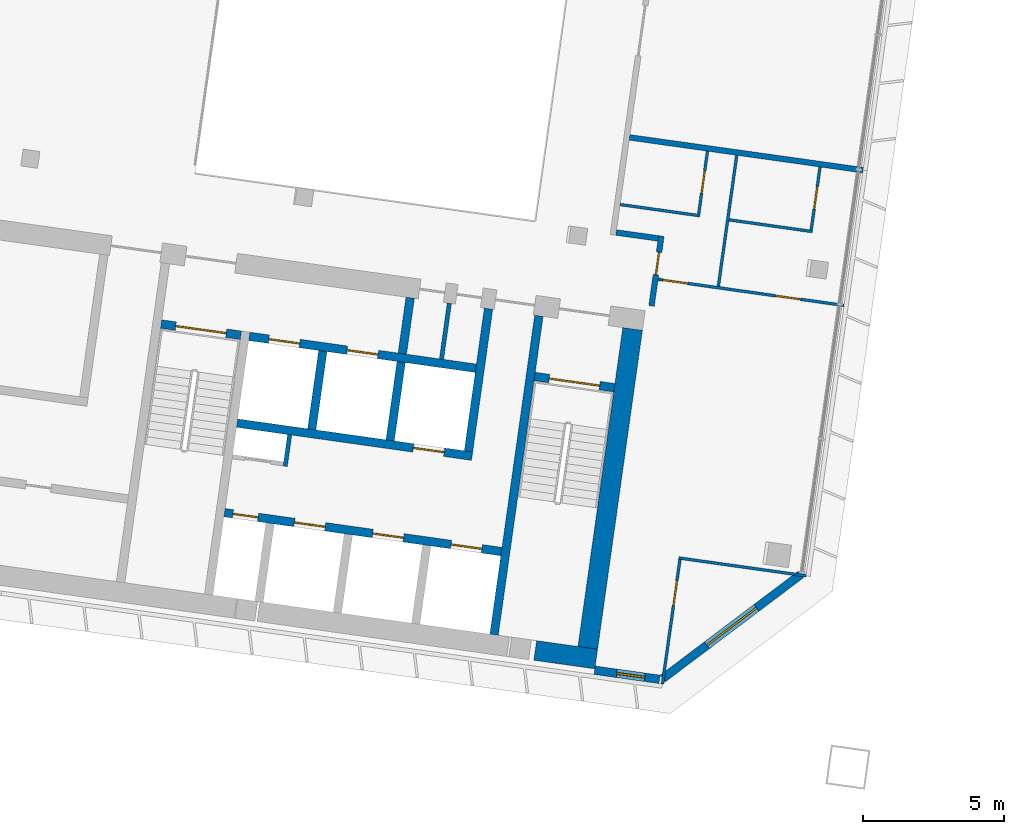
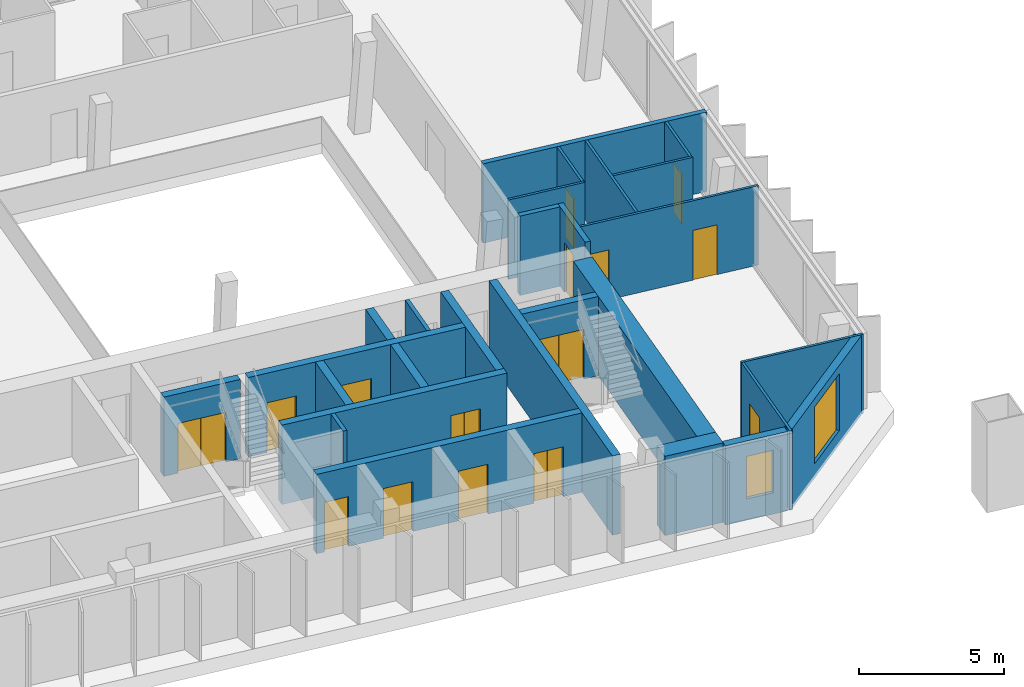
# One storey, part 14 of 23: 27 walls, 15 doors, 2 windows, 17 openings.
"""IFC4 building model written with IfcOpenShell, lengths in metres."""

import ifcopenshell
import ifcopenshell.guid

model = None  # the IFC model being written
_history = None  # IfcOwnerHistory: only IFC2X3 demands one
_inside = {}  # id of a spatial element -> (the spatial element, [elements in it])
_under = {}  # id of a project, library or spatial element -> (it, [spatial elements below it])
_declared = {}  # id of a project -> (the project, [libraries it declares])
_typed = {}  # id of a type object -> (the type object, [elements of that type])
_made_of = {}  # id of a material, layer set ... -> (it, [elements and type objects made of it])


def new_model(schema):
    """Start an empty IFC model of exactly this schema.

    Asked for "IFC4X3", IfcOpenShell would pick the latest addendum, in which some entities
    have other attributes; the version numbers below select the first issue.
    IFC2X3 requires an IfcOwnerHistory on every rooted entity: one is made here for all.
    """
    global model, _history
    if schema == "IFC4X3":
        model = ifcopenshell.file(schema_version=(4, 3, 0, 0))
    else:
        model = ifcopenshell.file(schema=schema)
    _inside.clear()
    _under.clear()
    _declared.clear()
    _typed.clear()
    _made_of.clear()
    _history = None
    if model.schema == "IFC2X3":
        org = make("IfcOrganization", Name="unknown")
        user = make(
            "IfcPersonAndOrganization",
            ThePerson=make("IfcPerson", FamilyName="unknown"),
            TheOrganization=org,
        )
        app = make(
            "IfcApplication",
            ApplicationDeveloper=org,
            Version="unknown",
            ApplicationFullName="unknown",
            ApplicationIdentifier="unknown",
        )
        _history = make(
            "IfcOwnerHistory",
            OwningUser=user,
            OwningApplication=app,
            ChangeAction="ADDED",
            CreationDate=0,
        )
    return model


def make(cls, **values):
    """One entity of the class cls with the attributes given. An attribute that is None is left unset."""
    return model.create_entity(
        cls, **{name: value for name, value in values.items() if value is not None}
    )


def rooted(cls, **values):
    """An entity with a GlobalId (a new one), such as an element, a storey or a relation."""
    return make(cls, GlobalId=ifcopenshell.guid.new(), OwnerHistory=_history, **values)


def si_unit(unit_type, name, prefix=None):
    """IfcSIUnit, for example si_unit("LENGTHUNIT", "METRE", prefix="MILLI")."""
    return make("IfcSIUnit", UnitType=unit_type, Prefix=prefix, Name=name)


def assignment(units):
    """IfcUnitAssignment: the units of a project."""
    return None if units is None else make("IfcUnitAssignment", Units=units)


def point(xyz):
    """IfcCartesianPoint."""
    return None if xyz is None else make("IfcCartesianPoint", Coordinates=xyz)


def direction(xyz):
    """IfcDirection."""
    return None if xyz is None else make("IfcDirection", DirectionRatios=xyz)


def frame(location, z_axis=None, x_axis=None):
    """IfcAxis2Placement3D, a coordinate frame: its origin and axes. An axis left out is left unset."""
    return make(
        "IfcAxis2Placement3D",
        Location=point(location),
        Axis=direction(z_axis),
        RefDirection=direction(x_axis),
    )


def frame_2d(location, x_axis=None):
    """IfcAxis2Placement2D, a coordinate frame in the plane: its origin and x axis."""
    return make(
        "IfcAxis2Placement2D", Location=point(location), RefDirection=direction(x_axis)
    )


def origin():
    """The frame at (0, 0, 0) with its axes left unset."""
    return frame((0.0, 0.0, 0.0))


def place(relative_to, where):
    """IfcLocalPlacement: puts the frame where relative to a parent placement (None: the world)."""
    return make(
        "IfcLocalPlacement", PlacementRelTo=relative_to, RelativePlacement=where
    )


def context(
    kind, dimensions, precision=None, world=None, true_north=None, identifier=None
):
    """IfcGeometricRepresentationContext, for example the 3D "Model" context."""
    return make(
        "IfcGeometricRepresentationContext",
        ContextIdentifier=identifier,
        ContextType=kind,
        CoordinateSpaceDimension=dimensions,
        Precision=precision,
        WorldCoordinateSystem=world,
        TrueNorth=true_north,
    )


def subcontext(parent, identifier, kind, view, scale=None):
    """IfcGeometricRepresentationSubContext, for example "Body" below "Model"."""
    return make(
        "IfcGeometricRepresentationSubContext",
        ContextIdentifier=identifier,
        ContextType=kind,
        ParentContext=parent,
        TargetScale=scale,
        TargetView=view,
    )


def project(units=None, contexts=None):
    """IfcProject with its units and contexts."""
    return rooted(
        "IfcProject",
        Name="project",
        RepresentationContexts=contexts,
        UnitsInContext=assignment(units),
    )


def spatial(cls, under=None, at=None, **own):
    """A site, building, storey or space (cls), placed at a placement, below another one or the project."""
    s = rooted(cls, ObjectPlacement=at, **own)
    if under is not None:
        _under.setdefault(under.id(), (under, []))[1].append(s)
    return s


def profile(cls, at=None, kind="AREA", **sizes):
    """A parametric profile (cls). Its sizes go by their IFC names, for example OverallWidth=200.0."""
    return make(cls, ProfileType=kind, Position=at, **sizes)


def rectangle(**sizes):
    """IfcRectangleProfileDef."""
    return profile("IfcRectangleProfileDef", **sizes)


def extrude(swept, where, along, depth):
    """IfcExtrudedAreaSolid: the profile swept, set in the frame where, extruded along a direction by depth."""
    return make(
        "IfcExtrudedAreaSolid",
        SweptArea=swept,
        Position=where,
        ExtrudedDirection=direction(along),
        Depth=depth,
    )


def shape(context_of_items, identifier, shape_type, items):
    """IfcShapeRepresentation: the items that make up one representation, for example the "Body"."""
    return make(
        "IfcShapeRepresentation",
        ContextOfItems=context_of_items,
        RepresentationIdentifier=identifier,
        RepresentationType=shape_type,
        Items=items,
    )


def material(Name=None, Category=None):
    """IfcMaterial."""
    return make("IfcMaterial", Name=Name, Category=Category)


def layer(
    of_material, thickness, ventilated=None, Name=None, Category=None, Priority=None
):
    """IfcMaterialLayer: one layer of a wall or slab, of a material (None: an air gap)."""
    return make(
        "IfcMaterialLayer",
        Material=of_material,
        LayerThickness=thickness,
        IsVentilated=ventilated,
        Name=Name,
        Category=Category,
        Priority=Priority,
    )


def layer_set(layers, Name=None):
    """IfcMaterialLayerSet."""
    return make("IfcMaterialLayerSet", MaterialLayers=layers, LayerSetName=Name)


def made_of(thing, what):
    """Note that an element or type object is made of a material, layer set ...; save() writes the relation."""
    if what is not None:
        _made_of.setdefault(what.id(), (what, []))[1].append(thing)
    return thing


def type_object(cls, material=None, **own):
    """A type object (cls), such as IfcWallType, which elements share."""
    return made_of(rooted(cls, **own), material)


def element(
    cls,
    number,
    at=None,
    inside=None,
    cuts=None,
    type_object=None,
    material=None,
    context=None,
    identifier="Body",
    shape_type=None,
    held_by="IfcProductDefinitionShape",
    body=None,
    shapes=None,
    **own,
):
    """One element of the class cls, such as IfcWall. Its Tag is "e" and its number.

    at: its placement. inside: the storey or other place that contains it. cuts: it is an
    opening in that element (IfcRelVoidsElement). A single representation is given by context,
    identifier, shape_type and body (its items); several are given by shapes. held_by: the class
    of the entity that holds the representations. save() writes the other relations.
    """
    e = rooted(cls, Tag="e%d" % number, ObjectPlacement=at, **own)
    if body is not None:
        shapes = [shape(context, identifier, shape_type, body)]
    if shapes is not None:
        e.Representation = make(held_by, Representations=shapes)
    if inside is not None:
        _inside.setdefault(inside.id(), (inside, []))[1].append(e)
    if cuts is not None:
        rooted(
            "IfcRelVoidsElement", RelatingBuildingElement=cuts, RelatedOpeningElement=e
        )
    if type_object is not None:
        _typed.setdefault(type_object.id(), (type_object, []))[1].append(e)
    return made_of(e, material)


def fill(opening, filler):
    """IfcRelFillsElement: the door or window that sits in an opening."""
    return rooted(
        "IfcRelFillsElement",
        RelatingOpeningElement=opening,
        RelatedBuildingElement=filler,
    )


def aggregate(whole, parts):
    """IfcRelAggregates: a whole, such as a stair, and the parts it consists of."""
    return rooted("IfcRelAggregates", RelatingObject=whole, RelatedObjects=parts)


def save(model, path):
    """Write the relations noted so far, then the file.

    IfcRelAggregates (storeys below a building ...), IfcRelContainedInSpatialStructure (elements
    in a storey), IfcRelDefinesByType, IfcRelAssociatesMaterial and IfcRelDeclares: one each for
    every whole, place, type object, material and project.
    """
    for whole, parts in _under.values():
        aggregate(whole, parts)
    for where, things in _inside.values():
        rooted(
            "IfcRelContainedInSpatialStructure",
            RelatedElements=things,
            RelatingStructure=where,
        )
    for kind, things in _typed.values():
        rooted("IfcRelDefinesByType", RelatedObjects=things, RelatingType=kind)
    for what, things in _made_of.values():
        rooted("IfcRelAssociatesMaterial", RelatedObjects=things, RelatingMaterial=what)
    for by, libraries in _declared.values():
        rooted("IfcRelDeclares", RelatingContext=by, RelatedDefinitions=libraries)
    model.write(path)


model = new_model("IFC4")

# Units and contexts
model_context = context("Model", 3, precision=1e-05, world=origin(), true_north=direction((0.0, 1.0)))
body_context = subcontext(model_context, "Body", "Model", "MODEL_VIEW")
ifc_project = project(units=[si_unit("LENGTHUNIT", "METRE"), si_unit("AREAUNIT", "SQUARE_METRE"), si_unit("VOLUMEUNIT", "CUBIC_METRE"), si_unit("PLANEANGLEUNIT", "RADIAN"), si_unit("MASSUNIT", "GRAM", prefix="KILO")], contexts=[model_context])

# Site, building, storey
site_placement = place(None, origin())
site = spatial("IfcSite", under=ifc_project, at=site_placement, CompositionType="ELEMENT")
building_placement = place(site_placement, origin())
building = spatial("IfcBuilding", under=site, at=building_placement, Name="Mirante Cascada Hotel Towers", CompositionType="ELEMENT")
storey_placement = place(building_placement, frame((0.0, 0.0, 195.4)))
storey = spatial("IfcBuildingStorey", under=building, at=storey_placement, Name="L46", CompositionType="ELEMENT", Elevation=195.4)

# Walls
ifc_material_1 = material(Name="Fire-rated plasterboard on metal studs")
ifc_layer_1 = layer(ifc_material_1, 0.2)
ifc_layer_set_1 = layer_set([ifc_layer_1], Name="Compartment wall 200 EI 120")
wall_type_1 = type_object("IfcWallType", Name="Compartment wall 200 EI 120", PredefinedType="PARTITIONING", material=ifc_layer_set_1)
wall_1_placement = place(storey_placement, frame((-35.0284, -4.7267, 0.0), z_axis=(0.0, 0.0, 1.0), x_axis=(-0.9902735, 0.1391343, 0.0)))
element("IfcWall", 1, at=wall_1_placement, inside=storey, type_object=wall_type_1, Name="Wall 1-L46-05", PredefinedType="PARTITIONING", context=body_context, shape_type="SweptSolid", body=[
    extrude(rectangle(XDim=1.5, YDim=0.2, at=frame_2d((0.75, 0.0))), origin(), (0.0, 0.0, 1.0), 3.35),
])
wall_2_placement = place(storey_placement, frame((-27.7762, -2.3125, 0.0), z_axis=(0.0, 0.0, 1.0), x_axis=(-0.9902678, 0.1391748, 0.0)))
element("IfcWall", 2, at=wall_2_placement, inside=storey, type_object=wall_type_1, Name="Wall 1-L46-09", PredefinedType="PARTITIONING", context=body_context, shape_type="SweptSolid", body=[
    extrude(rectangle(XDim=8.3456, YDim=0.2, at=frame_2d((4.1728, 0.0))), origin(), (0.0, 0.0, 1.0), 3.35),
])

# Wall, opening, door
wall_3_placement = place(storey_placement, frame((-35.2634, -7.1173, 0.0), z_axis=(0.0, 0.0, 1.0), x_axis=(0.1391586, 0.9902701, 0.0)))
wall_3 = element("IfcWall", 3, at=wall_3_placement, inside=storey, type_object=wall_type_1, Name="Wall 1-L46-29", PredefinedType="PARTITIONING", context=body_context, shape_type="SweptSolid", body=[
    extrude(rectangle(XDim=2.5, YDim=0.2, at=frame_2d((1.25, 0.0))), origin(), (0.0, 0.0, 1.0), 3.35),
])
opening_1_placement = place(wall_3_placement, frame((1.1167, 0.0, 0.0)))
opening_1 = element("IfcOpeningElement", 4, at=opening_1_placement, cuts=wall_3, Name="Opening D1-L46-22", PredefinedType="OPENING", context=body_context, shape_type="SweptSolid", body=[
    extrude(rectangle(XDim=0.8, YDim=2.1, at=frame_2d((0.4, 1.05))), frame((0.0, 0.1, 0.0), z_axis=(0.0, -1.0, 0.0), x_axis=(1.0, 0.0, 0.0)), (0.0, 0.0, 1.0), 0.2),
])
ifc_material_2 = material(Name="Fire-rated timber door leaf", Category="wood")
door_type_1 = type_object("IfcDoorType", Name="Bathroom door DG4 800x2100 EI 60", OperationType="SINGLE_SWING_LEFT", PredefinedType="DOOR", material=ifc_material_2)
door_1_placement = place(opening_1_placement, origin())
door_1 = element("IfcDoor", 5, at=door_1_placement, inside=storey, type_object=door_type_1, Name="Door D1-L46-22", OperationType="SINGLE_SWING_LEFT", OverallHeight=2.1, OverallWidth=0.8, PredefinedType="DOOR", context=body_context, shape_type="SweptSolid", body=[
    extrude(rectangle(XDim=0.8, YDim=2.1, at=frame_2d((0.4, 1.05))), frame((0.0, 0.025, 0.0), z_axis=(0.0, -1.0, 0.0), x_axis=(1.0, 0.0, 0.0)), (0.0, 0.0, 1.0), 0.05),
])
fill(opening_1, door_1)

# Walls
ifc_material_3 = material(Name="Masonry block", Category="masonry")
ifc_layer_2 = layer(ifc_material_3, 0.15)
ifc_layer_set_2 = layer_set([ifc_layer_2], Name="Core room partition 150 block EI 30")
wall_type_2 = type_object("IfcWallType", Name="Core room partition 150 block EI 30", PredefinedType="PARTITIONING", material=ifc_layer_set_2)
wall_4_placement = place(storey_placement, frame((-48.2295, -12.793, 0.0), z_axis=(0.0, 0.0, 1.0), x_axis=(0.1391935, 0.9902652, 0.0)))
element("IfcWall", 6, at=wall_4_placement, inside=storey, type_object=wall_type_2, Name="Core wall partition T1 L46 2", PredefinedType="PARTITIONING", context=body_context, shape_type="SweptSolid", body=[
    extrude(rectangle(XDim=1.1251, YDim=0.15, at=frame_2d((0.5626, 0.0))), origin(), (0.0, 0.0, 1.0), 3.35),
])
wall_5_placement = place(storey_placement, frame((-42.6979, -9.0009, 0.0), z_axis=(0.0, 0.0, 1.0), x_axis=(0.1391529, 0.9902709, 0.0)))
element("IfcWall", 7, at=wall_5_placement, inside=storey, type_object=wall_type_2, Name="Core wall partition T1 L46 4", PredefinedType="PARTITIONING", context=body_context, shape_type="SweptSolid", body=[
    extrude(rectangle(XDim=2.0, YDim=0.15, at=frame_2d((1.0, 0.0))), origin(), (0.0, 0.0, 1.0), 3.35),
])
ifc_material_4 = material(Name="Masonry block", Category="masonry")
ifc_layer_3 = layer(ifc_material_4, 0.3)
ifc_layer_set_3 = layer_set([ifc_layer_3], Name="Core wall 300 block EI 120")
wall_type_3 = type_object("IfcWallType", Name="Core wall 300 block EI 120", PredefinedType="PARTITIONING", material=ifc_layer_set_3)
wall_6_placement = place(storey_placement, frame((-44.0843, -8.8061, 0.0), z_axis=(0.0, 0.0, 1.0), x_axis=(0.1391951, 0.990265, 0.0)))
element("IfcWall", 8, at=wall_6_placement, inside=storey, type_object=wall_type_3, Name="Core wall partition T1 L46 1", PredefinedType="PARTITIONING", context=body_context, shape_type="SweptSolid", body=[
    extrude(rectangle(XDim=2.0001, YDim=0.3, at=frame_2d((1.0001, 0.0))), origin(), (0.0, 0.0, 1.0), 3.35),
])
ifc_material_5 = material(Name="Plasterboard on metal studs")
ifc_layer_4 = layer(ifc_material_5, 0.1)
ifc_layer_set_4 = layer_set([ifc_layer_4], Name="Partition 100")
wall_type_4 = type_object("IfcWallType", Name="Partition 100", PredefinedType="PARTITIONING", material=ifc_layer_set_4)
wall_7_placement = place(storey_placement, frame((-29.7942, -16.6714, 0.0), z_axis=(0.0, 0.0, 1.0), x_axis=(-0.9902691, 0.1391656, 0.0)))
element("IfcWall", 9, at=wall_7_placement, inside=storey, type_object=wall_type_4, Name="Wall 1-L46-01", PredefinedType="PARTITIONING", context=body_context, shape_type="SweptSolid", body=[
    extrude(rectangle(XDim=4.55, YDim=0.1, at=frame_2d((2.275, 0.0))), origin(), (0.0, 0.0, 1.0), 3.35),
])

# Wall, openings, doors
wall_8_placement = place(storey_placement, frame((-35.0298, -6.1739, 0.0), z_axis=(0.0, 0.0, 1.0), x_axis=(0.9902681, -0.1391732, 0.0)))
wall_8 = element("IfcWall", 10, at=wall_8_placement, inside=storey, type_object=wall_type_4, Name="Wall 1-L46-04", PredefinedType="PARTITIONING", context=body_context, shape_type="SweptSolid", body=[
    extrude(rectangle(XDim=6.6457, YDim=0.1, at=frame_2d((3.3228, 0.0))), origin(), (0.0, 0.0, 1.0), 3.35),
])
opening_2_placement = place(wall_8_placement, frame((4.1957, 0.0, 0.0)))
opening_2 = element("IfcOpeningElement", 11, at=opening_2_placement, cuts=wall_8, Name="Opening D1-L46-01", PredefinedType="OPENING", context=body_context, shape_type="SweptSolid", body=[
    extrude(rectangle(XDim=0.9, YDim=2.1, at=frame_2d((0.45, 1.05))), frame((0.0, 0.05, 0.0), z_axis=(0.0, -1.0, 0.0), x_axis=(1.0, 0.0, 0.0)), (0.0, 0.0, 1.0), 0.1),
])
opening_3_placement = place(wall_8_placement, frame((0.1614, 0.0, 0.0)))
opening_3 = element("IfcOpeningElement", 12, at=opening_3_placement, cuts=wall_8, Name="Opening D1-L46-02", PredefinedType="OPENING", context=body_context, shape_type="SweptSolid", body=[
    extrude(rectangle(XDim=0.9, YDim=2.1, at=frame_2d((0.45, 1.05))), frame((0.0, 0.05, 0.0), z_axis=(0.0, -1.0, 0.0), x_axis=(1.0, 0.0, 0.0)), (0.0, 0.0, 1.0), 0.1),
])
ifc_material_6 = material(Name="Timber door leaf", Category="wood")
door_type_2 = type_object("IfcDoorType", Name="Room door DG3 900x2100", OperationType="SINGLE_SWING_LEFT", PredefinedType="DOOR", material=ifc_material_6)
door_2_placement = place(opening_2_placement, frame((0.9, 0.0, 0.0), z_axis=(0.0, 0.0, 1.0), x_axis=(-1.0, 0.0, 0.0)))
door_2 = element("IfcDoor", 13, at=door_2_placement, inside=storey, type_object=door_type_2, Name="Door D1-L46-01", OperationType="SINGLE_SWING_RIGHT", OverallHeight=2.1, OverallWidth=0.9, PredefinedType="DOOR", context=body_context, shape_type="SweptSolid", body=[
    extrude(rectangle(XDim=0.9, YDim=2.1, at=frame_2d((0.45, 1.05))), frame((0.0, 0.025, 0.0), z_axis=(0.0, -1.0, 0.0), x_axis=(1.0, 0.0, 0.0)), (0.0, 0.0, 1.0), 0.05),
])
fill(opening_2, door_2)
door_3_placement = place(opening_3_placement, frame((0.9, 0.0, 0.0), z_axis=(0.0, 0.0, 1.0), x_axis=(-1.0, 0.0, 0.0)))
door_3 = element("IfcDoor", 14, at=door_3_placement, inside=storey, type_object=door_type_2, Name="Door D1-L46-02", OperationType="SINGLE_SWING_RIGHT", OverallHeight=2.1, OverallWidth=0.9, PredefinedType="DOOR", context=body_context, shape_type="SweptSolid", body=[
    extrude(rectangle(XDim=0.9, YDim=2.1, at=frame_2d((0.45, 1.05))), frame((0.0, 0.025, 0.0), z_axis=(0.0, -1.0, 0.0), x_axis=(1.0, 0.0, 0.0)), (0.0, 0.0, 1.0), 0.05),
])
fill(opening_3, door_3)

# Walls
wall_9_placement = place(storey_placement, frame((-29.5686, -4.4842, 0.0), z_axis=(0.0, 0.0, 1.0), x_axis=(-0.9902707, 0.1391545, 0.0)))
element("IfcWall", 15, at=wall_9_placement, inside=storey, type_object=wall_type_4, Name="Wall 1-L46-07", PredefinedType="PARTITIONING", context=body_context, shape_type="SweptSolid", body=[
    extrude(rectangle(XDim=2.9773, YDim=0.1, at=frame_2d((1.4886, 0.0))), origin(), (0.0, 0.0, 1.0), 3.35),
])
wall_10_placement = place(storey_placement, frame((-36.3747, -3.5277, 0.0), z_axis=(0.0, 0.0, 1.0), x_axis=(0.9902704, -0.1391564, 0.0)))
element("IfcWall", 16, at=wall_10_placement, inside=storey, type_object=wall_type_4, Name="Wall 1-L46-08", PredefinedType="PARTITIONING", context=body_context, shape_type="SweptSolid", body=[
    extrude(rectangle(XDim=2.85, YDim=0.1, at=frame_2d((1.425, 0.0))), origin(), (0.0, 0.0, 1.0), 3.35),
])

# Wall, opening, door
wall_11_placement = place(storey_placement, frame((-29.6112, -4.4277, 0.0), z_axis=(0.0, 0.0, 1.0), x_axis=(0.1391561, 0.9902705, 0.0)))
wall_11 = element("IfcWall", 17, at=wall_11_placement, inside=storey, type_object=wall_type_4, Name="Wall 1-L46-25", PredefinedType="PARTITIONING", context=body_context, shape_type="SweptSolid", body=[
    extrude(rectangle(XDim=2.25, YDim=0.1, at=frame_2d((1.125, 0.0))), origin(), (0.0, 0.0, 1.0), 3.35),
])
opening_4_placement = place(wall_11_placement, frame((0.75, 0.0, 0.0)))
opening_4 = element("IfcOpeningElement", 18, at=opening_4_placement, cuts=wall_11, Name="Opening D1-L46-19", PredefinedType="OPENING", context=body_context, shape_type="SweptSolid", body=[
    extrude(rectangle(XDim=0.8, YDim=2.1, at=frame_2d((0.4, 1.05))), frame((0.0, 0.05, 0.0), z_axis=(0.0, -1.0, 0.0), x_axis=(1.0, 0.0, 0.0)), (0.0, 0.0, 1.0), 0.1),
])
ifc_material_7 = material(Name="Timber door leaf", Category="wood")
door_type_3 = type_object("IfcDoorType", Name="Bathroom door DG4 800x2100", OperationType="SINGLE_SWING_LEFT", PredefinedType="DOOR", material=ifc_material_7)
door_4_placement = place(opening_4_placement, origin())
door_4 = element("IfcDoor", 19, at=door_4_placement, inside=storey, type_object=door_type_3, Name="Door D1-L46-19", OperationType="SINGLE_SWING_LEFT", OverallHeight=2.1, OverallWidth=0.8, PredefinedType="DOOR", context=body_context, shape_type="SweptSolid", body=[
    extrude(rectangle(XDim=0.8, YDim=2.1, at=frame_2d((0.4, 1.05))), frame((0.0, 0.025, 0.0), z_axis=(0.0, -1.0, 0.0), x_axis=(1.0, 0.0, 0.0)), (0.0, 0.0, 1.0), 0.05),
])
fill(opening_4, door_4)

wall_12_placement = place(storey_placement, frame((-34.2573, -16.0947, 0.0), z_axis=(0.0, 0.0, 1.0), x_axis=(-0.1391904, -0.9902656, 0.0)))
wall_12 = element("IfcWall", 20, at=wall_12_placement, inside=storey, type_object=wall_type_4, Name="Wall 1-L46-26", PredefinedType="PARTITIONING", context=body_context, shape_type="SweptSolid", body=[
    extrude(rectangle(XDim=4.45, YDim=0.1, at=frame_2d((2.225, 0.0))), origin(), (0.0, 0.0, 1.0), 3.35),
])
opening_5_placement = place(wall_12_placement, frame((0.75, 0.0, 0.0)))
opening_5 = element("IfcOpeningElement", 21, at=opening_5_placement, cuts=wall_12, Name="Opening D1-L46-20", PredefinedType="OPENING", context=body_context, shape_type="SweptSolid", body=[
    extrude(rectangle(XDim=0.9, YDim=2.1, at=frame_2d((0.45, 1.05))), frame((0.0, 0.05, 0.0), z_axis=(0.0, -1.0, 0.0), x_axis=(1.0, 0.0, 0.0)), (0.0, 0.0, 1.0), 0.1),
])
door_5_placement = place(opening_5_placement, origin())
door_5 = element("IfcDoor", 22, at=door_5_placement, inside=storey, type_object=door_type_2, Name="Door D1-L46-20", OperationType="SINGLE_SWING_LEFT", OverallHeight=2.1, OverallWidth=0.9, PredefinedType="DOOR", context=body_context, shape_type="SweptSolid", body=[
    extrude(rectangle(XDim=0.9, YDim=2.1, at=frame_2d((0.45, 1.05))), frame((0.0, 0.025, 0.0), z_axis=(0.0, -1.0, 0.0), x_axis=(1.0, 0.0, 0.0)), (0.0, 0.0, 1.0), 0.05),
])
fill(opening_5, door_5)

# Wall
wall_13_placement = place(storey_placement, frame((-32.8981, -6.423, 0.0), z_axis=(0.0, 0.0, 1.0), x_axis=(0.139176, 0.9902677, 0.0)))
element("IfcWall", 23, at=wall_13_placement, inside=storey, type_object=wall_type_4, Name="Wall 1-L46-27", PredefinedType="PARTITIONING", context=body_context, shape_type="SweptSolid", body=[
    extrude(rectangle(XDim=4.6833, YDim=0.1, at=frame_2d((2.3416, 0.0))), origin(), (0.0, 0.0, 1.0), 3.35),
])

# Wall, opening, door
wall_14_placement = place(storey_placement, frame((-33.2818, -1.6398, 0.0), z_axis=(0.0, 0.0, 1.0), x_axis=(-0.1391561, -0.9902705, 0.0)))
wall_14 = element("IfcWall", 24, at=wall_14_placement, inside=storey, type_object=wall_type_4, Name="Wall 1-L46-28", PredefinedType="PARTITIONING", context=body_context, shape_type="SweptSolid", body=[
    extrude(rectangle(XDim=2.25, YDim=0.1, at=frame_2d((1.125, 0.0))), origin(), (0.0, 0.0, 1.0), 3.35),
])
opening_6_placement = place(wall_14_placement, frame((0.7, 0.0, 0.0)))
opening_6 = element("IfcOpeningElement", 25, at=opening_6_placement, cuts=wall_14, Name="Opening D1-L46-21", PredefinedType="OPENING", context=body_context, shape_type="SweptSolid", body=[
    extrude(rectangle(XDim=0.8, YDim=2.1, at=frame_2d((0.4, 1.05))), frame((0.0, 0.05, 0.0), z_axis=(0.0, -1.0, 0.0), x_axis=(1.0, 0.0, 0.0)), (0.0, 0.0, 1.0), 0.1),
])
door_6_placement = place(opening_6_placement, frame((0.8, 0.0, 0.0), z_axis=(0.0, 0.0, 1.0), x_axis=(-1.0, 0.0, 0.0)))
door_6 = element("IfcDoor", 26, at=door_6_placement, inside=storey, type_object=door_type_3, Name="Door D1-L46-21", OperationType="SINGLE_SWING_RIGHT", OverallHeight=2.1, OverallWidth=0.8, PredefinedType="DOOR", context=body_context, shape_type="SweptSolid", body=[
    extrude(rectangle(XDim=0.8, YDim=2.1, at=frame_2d((0.4, 1.05))), frame((0.0, 0.025, 0.0), z_axis=(0.0, -1.0, 0.0), x_axis=(1.0, 0.0, 0.0)), (0.0, 0.0, 1.0), 0.05),
])
fill(opening_6, door_6)

# Wall, opening, window
ifc_material_8 = material(Name="Precast concrete C40/50", Category="concrete")
ifc_layer_5 = layer(ifc_material_8, 0.3)
ifc_layer_set_5 = layer_set([ifc_layer_5], Name="Precast concrete C40/50 cladding wall 300")
wall_type_5 = type_object("IfcWallType", Name="Precast concrete C40/50 cladding wall 300", PredefinedType="STANDARD", material=ifc_layer_set_5)
wall_15_placement = place(storey_placement, frame((-34.9787, -20.3355, 0.0), z_axis=(0.0, 0.0, 1.0), x_axis=(-0.9902683, 0.1391717, 0.0)))
wall_15 = element("IfcWall", 27, at=wall_15_placement, inside=storey, type_object=wall_type_5, Name="Rear cladding wall T1 L46 1", PredefinedType="STANDARD", context=body_context, shape_type="SweptSolid", body=[
    extrude(rectangle(XDim=2.3216, YDim=0.3, at=frame_2d((1.1608, 0.0))), origin(), (0.0, 0.0, 1.0), 3.35),
])
opening_7_placement = place(wall_15_placement, frame((0.5308, 0.0, 0.9)))
opening_7 = element("IfcOpeningElement", 28, at=opening_7_placement, cuts=wall_15, Name="Opening W1-46-05", PredefinedType="OPENING", context=body_context, shape_type="SweptSolid", body=[
    extrude(rectangle(XDim=1.0, YDim=1.8, at=frame_2d((0.5, 0.9))), frame((0.0, 0.15, 0.0), z_axis=(0.0, -1.0, 0.0), x_axis=(1.0, 0.0, 0.0)), (0.0, 0.0, 1.0), 0.3),
])
ifc_material_9 = material(Name="Aluminium frame with clear double glazing", Category="aluminium")
window_type_1 = type_object("IfcWindowType", Name="Punched window 1000x1800", PartitioningType="SINGLE_PANEL", PredefinedType="WINDOW", material=ifc_material_9)
window_1_placement = place(opening_7_placement, origin())
window_1 = element("IfcWindow", 29, at=window_1_placement, inside=storey, type_object=window_type_1, Name="Window W1-46-05", OverallHeight=1.8, OverallWidth=1.0, PartitioningType="SINGLE_PANEL", PredefinedType="WINDOW", context=body_context, shape_type="SweptSolid", body=[
    extrude(rectangle(XDim=1.0, YDim=1.8, at=frame_2d((0.5, 0.9))), frame((0.0, 0.03, 0.0), z_axis=(0.0, -1.0, 0.0), x_axis=(1.0, 0.0, 0.0)), (0.0, 0.0, 1.0), 0.06),
])
fill(opening_7, window_1)

wall_16_placement = place(storey_placement, frame((-29.9836, -16.6263, 0.0), z_axis=(0.0, 0.0, 1.0), x_axis=(-0.7986283, -0.6018245, 0.0)))
wall_16 = element("IfcWall", 30, at=wall_16_placement, inside=storey, type_object=wall_type_5, Name="Corner cladding wall T1 L46 inner rear", PredefinedType="STANDARD", context=body_context, shape_type="SweptSolid", body=[
    extrude(rectangle(XDim=6.1157, YDim=0.3, at=frame_2d((3.0578, 0.0))), origin(), (0.0, 0.0, 1.0), 3.35),
])
opening_8_placement = place(wall_16_placement, frame((1.9578, 0.0, 0.6)))
opening_8 = element("IfcOpeningElement", 31, at=opening_8_placement, cuts=wall_16, Name="Opening W1-46-04", PredefinedType="OPENING", context=body_context, shape_type="SweptSolid", body=[
    extrude(rectangle(XDim=2.2, YDim=2.4, at=frame_2d((1.1, 1.2))), frame((0.0, 0.15, 0.0), z_axis=(0.0, -1.0, 0.0), x_axis=(1.0, 0.0, 0.0)), (0.0, 0.0, 1.0), 0.3),
])
ifc_material_10 = material(Name="Aluminium frame with clear double glazing", Category="aluminium")
window_type_2 = type_object("IfcWindowType", Name="Corner suite window 2200x2400", PartitioningType="DOUBLE_PANEL_VERTICAL", PredefinedType="WINDOW", material=ifc_material_10)
window_2_placement = place(opening_8_placement, origin())
window_2 = element("IfcWindow", 32, at=window_2_placement, inside=storey, type_object=window_type_2, Name="Window W1-46-04", OverallHeight=2.4, OverallWidth=2.2, PartitioningType="SINGLE_PANEL", PredefinedType="WINDOW", context=body_context, shape_type="SweptSolid", body=[
    extrude(rectangle(XDim=2.2, YDim=2.4, at=frame_2d((1.1, 1.2))), frame((0.0, 0.03, 0.0), z_axis=(0.0, -1.0, 0.0), x_axis=(1.0, 0.0, 0.0)), (0.0, 0.0, 1.0), 0.06),
])
fill(opening_8, window_2)

# Wall
ifc_material_11 = material(Name="Concrete C50/60", Category="concrete")
ifc_layer_6 = layer(ifc_material_11, 0.3)
ifc_layer_set_6 = layer_set([ifc_layer_6], Name="RC core wall 300 C50/60")
wall_type_6 = type_object("IfcWallType", Name="RC core wall 300 C50/60", PredefinedType="SHEAR", material=ifc_layer_set_6)
wall_17_placement = place(storey_placement, frame((-40.8373, -18.7548, 0.0), z_axis=(0.0, 0.0, 1.0), x_axis=(0.1391749, 0.9902678, 0.0)))
element("IfcWall", 33, at=wall_17_placement, inside=storey, type_object=wall_type_6, Name="Core wall T1:L46:5", PredefinedType="SHEAR", context=body_context, shape_type="SweptSolid", body=[
    extrude(rectangle(XDim=11.4, YDim=0.3, at=frame_2d((5.7, 0.0))), origin(), (0.0, 0.0, 1.0), 3.35),
])

# Wall, opening, door
wall_18_placement = place(storey_placement, frame((-36.5791, -10.0123, 0.0), z_axis=(0.0, 0.0, 1.0), x_axis=(-0.9902704, 0.1391564, 0.0)))
wall_18 = element("IfcWall", 34, at=wall_18_placement, inside=storey, type_object=wall_type_6, Name="Core wall T1:L46:8", PredefinedType="SHEAR", context=body_context, shape_type="SweptSolid", body=[
    extrude(rectangle(XDim=2.85, YDim=0.3, at=frame_2d((1.425, 0.0))), origin(), (0.0, 0.0, 1.0), 3.35),
])
opening_9_placement = place(wall_18_placement, frame((0.525, 0.0, 0.0)))
opening_9 = element("IfcOpeningElement", 35, at=opening_9_placement, cuts=wall_18, Name="Opening D1-46-C07", PredefinedType="OPENING", context=body_context, shape_type="SweptSolid", body=[
    extrude(rectangle(XDim=1.8, YDim=2.1, at=frame_2d((0.9, 1.05))), frame((0.0, 0.15, 0.0), z_axis=(0.0, -1.0, 0.0), x_axis=(1.0, 0.0, 0.0)), (0.0, 0.0, 1.0), 0.3),
])
ifc_material_12 = material(Name="Hollow metal fire door leaf")
door_type_4 = type_object("IfcDoorType", Name="Double fire door 1800x2100 FD60", OperationType="DOUBLE_DOOR_SINGLE_SWING", PredefinedType="DOOR", material=ifc_material_12)
door_7_placement = place(opening_9_placement, origin())
door_7 = element("IfcDoor", 36, at=door_7_placement, inside=storey, type_object=door_type_4, Name="Stair door T1 L46 7", OperationType="DOUBLE_DOOR_SINGLE_SWING", OverallHeight=2.1, OverallWidth=1.8, PredefinedType="DOOR", context=body_context, shape_type="SweptSolid", body=[
    extrude(rectangle(XDim=0.895, YDim=2.1, at=frame_2d((0.4475, 1.05))), frame((0.0, 0.025, 0.0), z_axis=(0.0, -1.0, 0.0), x_axis=(1.0, 0.0, 0.0)), (0.0, 0.0, 1.0), 0.05),
    extrude(rectangle(XDim=0.895, YDim=2.1, at=frame_2d((1.3525, 1.05))), frame((0.0, 0.025, 0.0), z_axis=(0.0, -1.0, 0.0), x_axis=(1.0, 0.0, 0.0)), (0.0, 0.0, 1.0), 0.05),
])
fill(opening_9, door_7)

wall_19_placement = place(storey_placement, frame((-49.7992, -8.1544, 0.0), z_axis=(0.0, 0.0, 1.0), x_axis=(-0.9902656, 0.1391909, 0.0)))
wall_19 = element("IfcWall", 37, at=wall_19_placement, inside=storey, type_object=wall_type_6, Name="Core wall T1:L46:9", PredefinedType="SHEAR", context=body_context, shape_type="SweptSolid", body=[
    extrude(rectangle(XDim=2.85, YDim=0.3, at=frame_2d((1.425, 0.0))), origin(), (0.0, 0.0, 1.0), 3.35),
])
opening_10_placement = place(wall_19_placement, frame((0.525, 0.0, 0.0)))
opening_10 = element("IfcOpeningElement", 38, at=opening_10_placement, cuts=wall_19, Name="Opening D1-46-C09", PredefinedType="OPENING", context=body_context, shape_type="SweptSolid", body=[
    extrude(rectangle(XDim=1.8, YDim=2.1, at=frame_2d((0.9, 1.05))), frame((0.0, 0.15, 0.0), z_axis=(0.0, -1.0, 0.0), x_axis=(1.0, 0.0, 0.0)), (0.0, 0.0, 1.0), 0.3),
])
door_8_placement = place(opening_10_placement, origin())
door_8 = element("IfcDoor", 39, at=door_8_placement, inside=storey, type_object=door_type_4, Name="Stair door T1 L46 9", OperationType="DOUBLE_DOOR_SINGLE_SWING", OverallHeight=2.1, OverallWidth=1.8, PredefinedType="DOOR", context=body_context, shape_type="SweptSolid", body=[
    extrude(rectangle(XDim=0.895, YDim=2.1, at=frame_2d((0.4475, 1.05))), frame((0.0, 0.025, 0.0), z_axis=(0.0, -1.0, 0.0), x_axis=(1.0, 0.0, 0.0)), (0.0, 0.0, 1.0), 0.05),
    extrude(rectangle(XDim=0.895, YDim=2.1, at=frame_2d((1.3525, 1.05))), frame((0.0, 0.025, 0.0), z_axis=(0.0, -1.0, 0.0), x_axis=(1.0, 0.0, 0.0)), (0.0, 0.0, 1.0), 0.05),
])
fill(opening_10, door_8)

# Wall, openings, doors
wall_20_placement = place(storey_placement, frame((-40.5753, -15.8126, 0.0), z_axis=(0.0, 0.0, 1.0), x_axis=(-0.9902682, 0.1391725, 0.0)))
wall_20 = element("IfcWall", 40, at=wall_20_placement, inside=storey, type_object=wall_type_6, Name="Core wall T1:L46:10", PredefinedType="SHEAR", context=body_context, shape_type="SweptSolid", body=[
    extrude(rectangle(XDim=9.8999, YDim=0.3, at=frame_2d((4.95, 0.0))), origin(), (0.0, 0.0, 1.0), 3.35),
])
opening_11_placement = place(wall_20_placement, frame((0.7, 0.0, 0.0)))
opening_11 = element("IfcOpeningElement", 41, at=opening_11_placement, cuts=wall_20, Name="Opening LD", PredefinedType="OPENING", context=body_context, shape_type="SweptSolid", body=[
    extrude(rectangle(XDim=1.1, YDim=2.1, at=frame_2d((0.55, 1.05))), frame((0.0, 0.15, 0.0), z_axis=(0.0, -1.0, 0.0), x_axis=(1.0, 0.0, 0.0)), (0.0, 0.0, 1.0), 0.3),
])
opening_12_placement = place(wall_20_placement, frame((3.5, 0.0, 0.0)))
opening_12 = element("IfcOpeningElement", 42, at=opening_12_placement, cuts=wall_20, Name="Opening LD", PredefinedType="OPENING", context=body_context, shape_type="SweptSolid", body=[
    extrude(rectangle(XDim=1.1, YDim=2.1, at=frame_2d((0.55, 1.05))), frame((0.0, 0.15, 0.0), z_axis=(0.0, -1.0, 0.0), x_axis=(1.0, 0.0, 0.0)), (0.0, 0.0, 1.0), 0.3),
])
opening_13_placement = place(wall_20_placement, frame((6.3, 0.0, 0.0)))
opening_13 = element("IfcOpeningElement", 43, at=opening_13_placement, cuts=wall_20, Name="Opening LD", PredefinedType="OPENING", context=body_context, shape_type="SweptSolid", body=[
    extrude(rectangle(XDim=1.1, YDim=2.1, at=frame_2d((0.55, 1.05))), frame((0.0, 0.15, 0.0), z_axis=(0.0, -1.0, 0.0), x_axis=(1.0, 0.0, 0.0)), (0.0, 0.0, 1.0), 0.3),
])
opening_14_placement = place(wall_20_placement, frame((8.7, 0.0, 0.0)))
opening_14 = element("IfcOpeningElement", 44, at=opening_14_placement, cuts=wall_20, Name="Opening D1-46-C14", PredefinedType="OPENING", context=body_context, shape_type="SweptSolid", body=[
    extrude(rectangle(XDim=0.9, YDim=2.1, at=frame_2d((0.45, 1.05))), frame((0.0, 0.15, 0.0), z_axis=(0.0, -1.0, 0.0), x_axis=(1.0, 0.0, 0.0)), (0.0, 0.0, 1.0), 0.3),
])
ifc_material_13 = material(Name="Hollow metal fire door leaf")
door_type_5 = type_object("IfcDoorType", Name="Fire door 900x2100 FD60", OperationType="NOTDEFINED", PredefinedType="DOOR", material=ifc_material_13)
door_9_placement = place(opening_14_placement, origin())
door_9 = element("IfcDoor", 45, at=door_9_placement, inside=storey, type_object=door_type_5, Name="Riser door T1 L46 14", OperationType="SINGLE_SWING_LEFT", OverallHeight=2.1, OverallWidth=0.9, PredefinedType="DOOR", context=body_context, shape_type="SweptSolid", body=[
    extrude(rectangle(XDim=0.9, YDim=2.1, at=frame_2d((0.45, 1.05))), frame((0.0, 0.025, 0.0), z_axis=(0.0, -1.0, 0.0), x_axis=(1.0, 0.0, 0.0)), (0.0, 0.0, 1.0), 0.05),
])
fill(opening_14, door_9)
ifc_material_14 = material(Name="Stainless steel", Category="steel")
door_type_6 = type_object("IfcDoorType", Name="Lift landing door 1100x2100 EI 120", OperationType="DOUBLE_DOOR_SLIDING", PredefinedType="DOOR", material=ifc_material_14)
door_10_placement = place(opening_11_placement, origin())
door_10 = element("IfcDoor", 46, at=door_10_placement, inside=storey, type_object=door_type_6, Name="Lift landing door HR1-1 L46", OperationType="DOUBLE_DOOR_SLIDING", OverallHeight=2.1, OverallWidth=1.1, PredefinedType="DOOR", context=body_context, shape_type="SweptSolid", body=[
    extrude(rectangle(XDim=0.545, YDim=2.1, at=frame_2d((0.2725, 1.05))), frame((0.0, 0.025, 0.0), z_axis=(0.0, -1.0, 0.0), x_axis=(1.0, 0.0, 0.0)), (0.0, 0.0, 1.0), 0.05),
    extrude(rectangle(XDim=0.545, YDim=2.1, at=frame_2d((0.8275, 1.05))), frame((0.0, 0.025, 0.0), z_axis=(0.0, -1.0, 0.0), x_axis=(1.0, 0.0, 0.0)), (0.0, 0.0, 1.0), 0.05),
])
fill(opening_11, door_10)
door_11_placement = place(opening_12_placement, origin())
door_11 = element("IfcDoor", 47, at=door_11_placement, inside=storey, type_object=door_type_6, Name="Lift landing door HR1-2 L46", OperationType="DOUBLE_DOOR_SLIDING", OverallHeight=2.1, OverallWidth=1.1, PredefinedType="DOOR", context=body_context, shape_type="SweptSolid", body=[
    extrude(rectangle(XDim=0.545, YDim=2.1, at=frame_2d((0.2725, 1.05))), frame((0.0, 0.025, 0.0), z_axis=(0.0, -1.0, 0.0), x_axis=(1.0, 0.0, 0.0)), (0.0, 0.0, 1.0), 0.05),
    extrude(rectangle(XDim=0.545, YDim=2.1, at=frame_2d((0.8275, 1.05))), frame((0.0, 0.025, 0.0), z_axis=(0.0, -1.0, 0.0), x_axis=(1.0, 0.0, 0.0)), (0.0, 0.0, 1.0), 0.05),
])
fill(opening_12, door_11)
door_12_placement = place(opening_13_placement, origin())
door_12 = element("IfcDoor", 48, at=door_12_placement, inside=storey, type_object=door_type_6, Name="Lift landing door HR1-3 L46", OperationType="DOUBLE_DOOR_SLIDING", OverallHeight=2.1, OverallWidth=1.1, PredefinedType="DOOR", context=body_context, shape_type="SweptSolid", body=[
    extrude(rectangle(XDim=0.545, YDim=2.1, at=frame_2d((0.2725, 1.05))), frame((0.0, 0.025, 0.0), z_axis=(0.0, -1.0, 0.0), x_axis=(1.0, 0.0, 0.0)), (0.0, 0.0, 1.0), 0.05),
    extrude(rectangle(XDim=0.545, YDim=2.1, at=frame_2d((0.8275, 1.05))), frame((0.0, 0.025, 0.0), z_axis=(0.0, -1.0, 0.0), x_axis=(1.0, 0.0, 0.0)), (0.0, 0.0, 1.0), 0.05),
])
fill(opening_13, door_12)

# Wall, opening, door
wall_21_placement = place(storey_placement, frame((-41.6153, -12.435, 0.0), z_axis=(0.0, 0.0, 1.0), x_axis=(-0.9902691, 0.139166, 0.0)))
wall_21 = element("IfcWall", 49, at=wall_21_placement, inside=storey, type_object=wall_type_6, Name="Core wall T1:L46:11", PredefinedType="SHEAR", context=body_context, shape_type="SweptSolid", body=[
    extrude(rectangle(XDim=8.4, YDim=0.3, at=frame_2d((4.2, 0.0))), origin(), (0.0, 0.0, 1.0), 3.35),
])
opening_15_placement = place(wall_21_placement, frame((1.0, 0.0, 0.0)))
opening_15 = element("IfcOpeningElement", 50, at=opening_15_placement, cuts=wall_21, Name="Opening LD", PredefinedType="OPENING", context=body_context, shape_type="SweptSolid", body=[
    extrude(rectangle(XDim=1.1, YDim=2.1, at=frame_2d((0.55, 1.05))), frame((0.0, 0.15, 0.0), z_axis=(0.0, -1.0, 0.0), x_axis=(1.0, 0.0, 0.0)), (0.0, 0.0, 1.0), 0.3),
])
door_13_placement = place(opening_15_placement, origin())
door_13 = element("IfcDoor", 51, at=door_13_placement, inside=storey, type_object=door_type_6, Name="Lift landing door HR1-4 L46", OperationType="DOUBLE_DOOR_SLIDING", OverallHeight=2.1, OverallWidth=1.1, PredefinedType="DOOR", context=body_context, shape_type="SweptSolid", body=[
    extrude(rectangle(XDim=0.545, YDim=2.1, at=frame_2d((0.2725, 1.05))), frame((0.0, 0.025, 0.0), z_axis=(0.0, -1.0, 0.0), x_axis=(1.0, 0.0, 0.0)), (0.0, 0.0, 1.0), 0.05),
    extrude(rectangle(XDim=0.545, YDim=2.1, at=frame_2d((0.8275, 1.05))), frame((0.0, 0.025, 0.0), z_axis=(0.0, -1.0, 0.0), x_axis=(1.0, 0.0, 0.0)), (0.0, 0.0, 1.0), 0.05),
])
fill(opening_15, door_13)

# Wall, openings, doors
wall_22_placement = place(storey_placement, frame((-41.481, -9.3234, 0.0), z_axis=(0.0, 0.0, 1.0), x_axis=(-0.9902679, 0.1391741, 0.0)))
wall_22 = element("IfcWall", 52, at=wall_22_placement, inside=storey, type_object=wall_type_6, Name="Core wall T1:L46:12", PredefinedType="SHEAR", context=body_context, shape_type="SweptSolid", body=[
    extrude(rectangle(XDim=8.0999, YDim=0.3, at=frame_2d((4.05, 0.0))), origin(), (0.0, 0.0, 1.0), 3.35),
])
opening_16_placement = place(wall_22_placement, frame((3.5, 0.0, 0.0)))
opening_16 = element("IfcOpeningElement", 53, at=opening_16_placement, cuts=wall_22, Name="Opening LD", PredefinedType="OPENING", context=body_context, shape_type="SweptSolid", body=[
    extrude(rectangle(XDim=1.1, YDim=2.1, at=frame_2d((0.55, 1.05))), frame((0.0, 0.15, 0.0), z_axis=(0.0, -1.0, 0.0), x_axis=(1.0, 0.0, 0.0)), (0.0, 0.0, 1.0), 0.3),
])
opening_17_placement = place(wall_22_placement, frame((6.3, 0.0, 0.0)))
opening_17 = element("IfcOpeningElement", 54, at=opening_17_placement, cuts=wall_22, Name="Opening LD", PredefinedType="OPENING", context=body_context, shape_type="SweptSolid", body=[
    extrude(rectangle(XDim=1.1, YDim=2.1, at=frame_2d((0.55, 1.05))), frame((0.0, 0.15, 0.0), z_axis=(0.0, -1.0, 0.0), x_axis=(1.0, 0.0, 0.0)), (0.0, 0.0, 1.0), 0.3),
])
door_14_placement = place(opening_16_placement, origin())
door_14 = element("IfcDoor", 55, at=door_14_placement, inside=storey, type_object=door_type_6, Name="Lift landing door FF1 L46", OperationType="DOUBLE_DOOR_SLIDING", OverallHeight=2.1, OverallWidth=1.1, PredefinedType="DOOR", context=body_context, shape_type="SweptSolid", body=[
    extrude(rectangle(XDim=0.545, YDim=2.1, at=frame_2d((0.2725, 1.05))), frame((0.0, 0.025, 0.0), z_axis=(0.0, -1.0, 0.0), x_axis=(1.0, 0.0, 0.0)), (0.0, 0.0, 1.0), 0.05),
    extrude(rectangle(XDim=0.545, YDim=2.1, at=frame_2d((0.8275, 1.05))), frame((0.0, 0.025, 0.0), z_axis=(0.0, -1.0, 0.0), x_axis=(1.0, 0.0, 0.0)), (0.0, 0.0, 1.0), 0.05),
])
fill(opening_16, door_14)
door_15_placement = place(opening_17_placement, origin())
door_15 = element("IfcDoor", 56, at=door_15_placement, inside=storey, type_object=door_type_6, Name="Lift landing door FF2 L46", OperationType="DOUBLE_DOOR_SLIDING", OverallHeight=2.1, OverallWidth=1.1, PredefinedType="DOOR", context=body_context, shape_type="SweptSolid", body=[
    extrude(rectangle(XDim=0.545, YDim=2.1, at=frame_2d((0.2725, 1.05))), frame((0.0, 0.025, 0.0), z_axis=(0.0, -1.0, 0.0), x_axis=(1.0, 0.0, 0.0)), (0.0, 0.0, 1.0), 0.05),
    extrude(rectangle(XDim=0.545, YDim=2.1, at=frame_2d((0.8275, 1.05))), frame((0.0, 0.025, 0.0), z_axis=(0.0, -1.0, 0.0), x_axis=(1.0, 0.0, 0.0)), (0.0, 0.0, 1.0), 0.05),
])
fill(opening_17, door_15)

# Walls
for number, where, z_axis, x_axis, name in (
    (57, (-44.5157, -11.8759, 0.0), (0.0, 0.0, 1.0), (0.139181, 0.990267, 0.0), "Core wall T1:L46:16"),
    (58, (-47.2885, -11.4862, 0.0), (0.0, 0.0, 1.0), (0.139181, 0.990267, 0.0), "Core wall T1:L46:17"),
):
    element("IfcWall", number, at=place(storey_placement, frame(where, z_axis=z_axis, x_axis=x_axis)), inside=storey, type_object=wall_type_6, Name=name, PredefinedType="SHEAR", context=body_context, shape_type="SweptSolid", body=[
        extrude(rectangle(XDim=2.8, YDim=0.3, at=frame_2d((1.4, 0.0))), origin(), (0.0, 0.0, 1.0), 3.35),
    ])
wall_23_placement = place(storey_placement, frame((-41.743, -12.2656, 0.0), z_axis=(0.0, 0.0, 1.0), x_axis=(0.1391755, 0.9902677, 0.0)))
element("IfcWall", 59, at=wall_23_placement, inside=storey, type_object=wall_type_6, Name="Core wall T1:L46:18", PredefinedType="SHEAR", context=body_context, shape_type="SweptSolid", body=[
    extrude(rectangle(XDim=5.1, YDim=0.3, at=frame_2d((2.55, 0.0))), origin(), (0.0, 0.0, 1.0), 3.35),
])
ifc_material_15 = material(Name="Concrete C50/60", Category="concrete")
ifc_layer_7 = layer(ifc_material_15, 0.7)
ifc_layer_set_7 = layer_set([ifc_layer_7], Name="RC core wall 700 C50/60")
wall_type_7 = type_object("IfcWallType", Name="RC core wall 700 C50/60", PredefinedType="SHEAR", material=ifc_layer_set_7)
wall_24_placement = place(storey_placement, frame((-37.222, -19.6163, 0.0), z_axis=(0.0, 0.0, 1.0), x_axis=(-0.9902728, 0.1391395, 0.0)))
element("IfcWall", 60, at=wall_24_placement, inside=storey, type_object=wall_type_7, Name="Core wall T1:L46:1.1", PredefinedType="SHEAR", context=body_context, shape_type="SweptSolid", body=[
    extrude(rectangle(XDim=2.1784, YDim=0.7, at=frame_2d((1.0892, 0.0))), origin(), (0.0, 0.0, 1.0), 3.35),
])
wall_25_placement = place(storey_placement, frame((-37.5199, -19.221, 0.0), z_axis=(0.0, 0.0, 1.0), x_axis=(0.1391761, 0.9902677, 0.0)))
element("IfcWall", 61, at=wall_25_placement, inside=storey, type_object=wall_type_7, Name="Core wall T1:L46:3", PredefinedType="SHEAR", context=body_context, shape_type="SweptSolid", body=[
    extrude(rectangle(XDim=11.3999, YDim=0.7, at=frame_2d((5.7, 0.0))), origin(), (0.0, 0.0, 1.0), 3.35),
])

save(model, "model.ifc")
